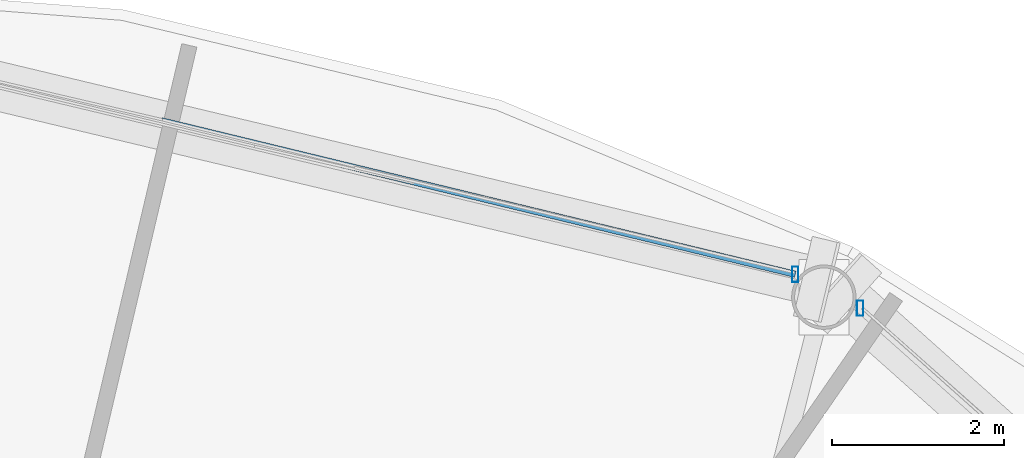
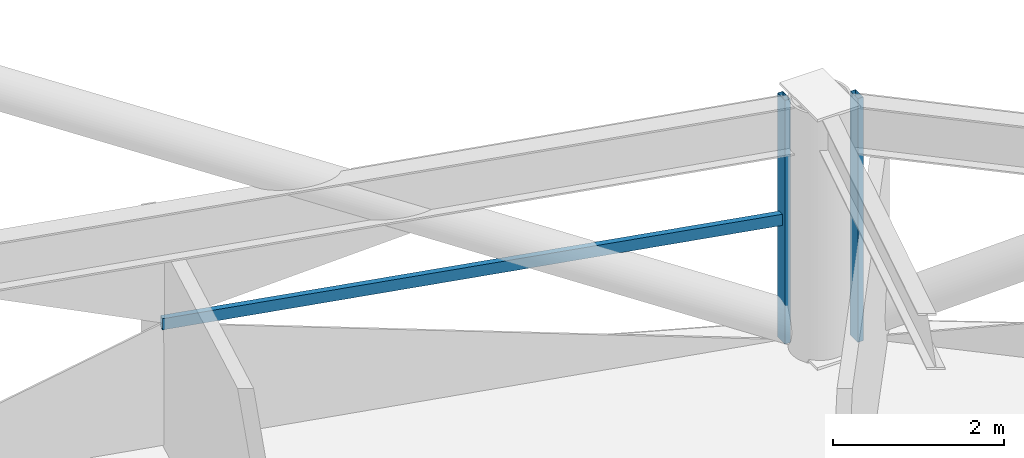
# One storey, part 20 of 30: 3 members, 2 elements without a shape of their own.
"""IFC4 building model written with IfcOpenShell, lengths in metres."""

import ifcopenshell
import ifcopenshell.guid

model = None  # the IFC model being written
_history = None  # IfcOwnerHistory: only IFC2X3 demands one
_inside = {}  # id of a spatial element -> (the spatial element, [elements in it])
_under = {}  # id of a project, library or spatial element -> (it, [spatial elements below it])
_declared = {}  # id of a project -> (the project, [libraries it declares])
_typed = {}  # id of a type object -> (the type object, [elements of that type])
_made_of = {}  # id of a material, layer set ... -> (it, [elements and type objects made of it])


def new_model(schema):
    """Start an empty IFC model of exactly this schema.

    Asked for "IFC4X3", IfcOpenShell would pick the latest addendum, in which some entities
    have other attributes; the version numbers below select the first issue.
    IFC2X3 requires an IfcOwnerHistory on every rooted entity: one is made here for all.
    """
    global model, _history
    if schema == "IFC4X3":
        model = ifcopenshell.file(schema_version=(4, 3, 0, 0))
    else:
        model = ifcopenshell.file(schema=schema)
    _inside.clear()
    _under.clear()
    _declared.clear()
    _typed.clear()
    _made_of.clear()
    _history = None
    if model.schema == "IFC2X3":
        org = make("IfcOrganization", Name="unknown")
        user = make(
            "IfcPersonAndOrganization",
            ThePerson=make("IfcPerson", FamilyName="unknown"),
            TheOrganization=org,
        )
        app = make(
            "IfcApplication",
            ApplicationDeveloper=org,
            Version="unknown",
            ApplicationFullName="unknown",
            ApplicationIdentifier="unknown",
        )
        _history = make(
            "IfcOwnerHistory",
            OwningUser=user,
            OwningApplication=app,
            ChangeAction="ADDED",
            CreationDate=0,
        )
    return model


def make(cls, **values):
    """One entity of the class cls with the attributes given. An attribute that is None is left unset."""
    return model.create_entity(
        cls, **{name: value for name, value in values.items() if value is not None}
    )


def rooted(cls, **values):
    """An entity with a GlobalId (a new one), such as an element, a storey or a relation."""
    return make(cls, GlobalId=ifcopenshell.guid.new(), OwnerHistory=_history, **values)


def si_unit(unit_type, name, prefix=None):
    """IfcSIUnit, for example si_unit("LENGTHUNIT", "METRE", prefix="MILLI")."""
    return make("IfcSIUnit", UnitType=unit_type, Prefix=prefix, Name=name)


def assignment(units):
    """IfcUnitAssignment: the units of a project."""
    return None if units is None else make("IfcUnitAssignment", Units=units)


def point(xyz):
    """IfcCartesianPoint."""
    return None if xyz is None else make("IfcCartesianPoint", Coordinates=xyz)


def direction(xyz):
    """IfcDirection."""
    return None if xyz is None else make("IfcDirection", DirectionRatios=xyz)


def frame(location, z_axis=None, x_axis=None):
    """IfcAxis2Placement3D, a coordinate frame: its origin and axes. An axis left out is left unset."""
    return make(
        "IfcAxis2Placement3D",
        Location=point(location),
        Axis=direction(z_axis),
        RefDirection=direction(x_axis),
    )


def frame_2d(location, x_axis=None):
    """IfcAxis2Placement2D, a coordinate frame in the plane: its origin and x axis."""
    return make(
        "IfcAxis2Placement2D", Location=point(location), RefDirection=direction(x_axis)
    )


def origin():
    """The frame at (0, 0, 0) with its axes left unset."""
    return frame((0.0, 0.0, 0.0))


def origin_2d():
    """The frame at (0, 0) in the plane with its x axis left unset."""
    return frame_2d((0.0, 0.0))


def place(relative_to, where):
    """IfcLocalPlacement: puts the frame where relative to a parent placement (None: the world)."""
    return make(
        "IfcLocalPlacement", PlacementRelTo=relative_to, RelativePlacement=where
    )


def context(
    kind, dimensions, precision=None, world=None, true_north=None, identifier=None
):
    """IfcGeometricRepresentationContext, for example the 3D "Model" context."""
    return make(
        "IfcGeometricRepresentationContext",
        ContextIdentifier=identifier,
        ContextType=kind,
        CoordinateSpaceDimension=dimensions,
        Precision=precision,
        WorldCoordinateSystem=world,
        TrueNorth=true_north,
    )


def subcontext(parent, identifier, kind, view, scale=None):
    """IfcGeometricRepresentationSubContext, for example "Body" below "Model"."""
    return make(
        "IfcGeometricRepresentationSubContext",
        ContextIdentifier=identifier,
        ContextType=kind,
        ParentContext=parent,
        TargetScale=scale,
        TargetView=view,
    )


def project(units=None, contexts=None):
    """IfcProject with its units and contexts."""
    return rooted(
        "IfcProject",
        Name="project",
        RepresentationContexts=contexts,
        UnitsInContext=assignment(units),
    )


def spatial(cls, under=None, at=None, **own):
    """A site, building, storey or space (cls), placed at a placement, below another one or the project."""
    s = rooted(cls, ObjectPlacement=at, **own)
    if under is not None:
        _under.setdefault(under.id(), (under, []))[1].append(s)
    return s


def profile(cls, at=None, kind="AREA", **sizes):
    """A parametric profile (cls). Its sizes go by their IFC names, for example OverallWidth=200.0."""
    return make(cls, ProfileType=kind, Position=at, **sizes)


def hollow_rectangle(**sizes):
    """IfcRectangleHollowProfileDef."""
    return profile("IfcRectangleHollowProfileDef", **sizes)


def extrude(swept, where, along, depth):
    """IfcExtrudedAreaSolid: the profile swept, set in the frame where, extruded along a direction by depth."""
    return make(
        "IfcExtrudedAreaSolid",
        SweptArea=swept,
        Position=where,
        ExtrudedDirection=direction(along),
        Depth=depth,
    )


def shape(context_of_items, identifier, shape_type, items):
    """IfcShapeRepresentation: the items that make up one representation, for example the "Body"."""
    return make(
        "IfcShapeRepresentation",
        ContextOfItems=context_of_items,
        RepresentationIdentifier=identifier,
        RepresentationType=shape_type,
        Items=items,
    )


def material(Name=None, Category=None):
    """IfcMaterial."""
    return make("IfcMaterial", Name=Name, Category=Category)


def layer(
    of_material, thickness, ventilated=None, Name=None, Category=None, Priority=None
):
    """IfcMaterialLayer: one layer of a wall or slab, of a material (None: an air gap)."""
    return make(
        "IfcMaterialLayer",
        Material=of_material,
        LayerThickness=thickness,
        IsVentilated=ventilated,
        Name=Name,
        Category=Category,
        Priority=Priority,
    )


def layer_set(layers, Name=None):
    """IfcMaterialLayerSet."""
    return make("IfcMaterialLayerSet", MaterialLayers=layers, LayerSetName=Name)


def material_profile(
    of_material, cross_section, Name=None, Category=None, Priority=None
):
    """IfcMaterialProfile: a cross section and its material."""
    return make(
        "IfcMaterialProfile",
        Name=Name,
        Material=of_material,
        Profile=cross_section,
        Priority=Priority,
        Category=Category,
    )


def profile_set(profiles, Name=None, composite=None):
    """IfcMaterialProfileSet."""
    return make(
        "IfcMaterialProfileSet",
        Name=Name,
        MaterialProfiles=profiles,
        CompositeProfile=composite,
    )


def made_of(thing, what):
    """Note that an element or type object is made of a material, layer set ...; save() writes the relation."""
    if what is not None:
        _made_of.setdefault(what.id(), (what, []))[1].append(thing)
    return thing


def type_object(cls, material=None, **own):
    """A type object (cls), such as IfcWallType, which elements share."""
    return made_of(rooted(cls, **own), material)


def element(
    cls,
    number,
    at=None,
    inside=None,
    cuts=None,
    type_object=None,
    material=None,
    context=None,
    identifier="Body",
    shape_type=None,
    held_by="IfcProductDefinitionShape",
    body=None,
    shapes=None,
    **own,
):
    """One element of the class cls, such as IfcWall. Its Tag is "e" and its number.

    at: its placement. inside: the storey or other place that contains it. cuts: it is an
    opening in that element (IfcRelVoidsElement). A single representation is given by context,
    identifier, shape_type and body (its items); several are given by shapes. held_by: the class
    of the entity that holds the representations. save() writes the other relations.
    """
    e = rooted(cls, Tag="e%d" % number, ObjectPlacement=at, **own)
    if body is not None:
        shapes = [shape(context, identifier, shape_type, body)]
    if shapes is not None:
        e.Representation = make(held_by, Representations=shapes)
    if inside is not None:
        _inside.setdefault(inside.id(), (inside, []))[1].append(e)
    if cuts is not None:
        rooted(
            "IfcRelVoidsElement", RelatingBuildingElement=cuts, RelatedOpeningElement=e
        )
    if type_object is not None:
        _typed.setdefault(type_object.id(), (type_object, []))[1].append(e)
    return made_of(e, material)


def aggregate(whole, parts):
    """IfcRelAggregates: a whole, such as a stair, and the parts it consists of."""
    return rooted("IfcRelAggregates", RelatingObject=whole, RelatedObjects=parts)


def save(model, path):
    """Write the relations noted so far, then the file.

    IfcRelAggregates (storeys below a building ...), IfcRelContainedInSpatialStructure (elements
    in a storey), IfcRelDefinesByType, IfcRelAssociatesMaterial and IfcRelDeclares: one each for
    every whole, place, type object, material and project.
    """
    for whole, parts in _under.values():
        aggregate(whole, parts)
    for where, things in _inside.values():
        rooted(
            "IfcRelContainedInSpatialStructure",
            RelatedElements=things,
            RelatingStructure=where,
        )
    for kind, things in _typed.values():
        rooted("IfcRelDefinesByType", RelatedObjects=things, RelatingType=kind)
    for what, things in _made_of.values():
        rooted("IfcRelAssociatesMaterial", RelatedObjects=things, RelatingMaterial=what)
    for by, libraries in _declared.values():
        rooted("IfcRelDeclares", RelatingContext=by, RelatedDefinitions=libraries)
    model.write(path)


model = new_model("IFC4")

# Units and contexts
model_context = context("Model", 3, precision=1e-05, world=origin(), true_north=direction((0.0, 1.0)))
body_context = subcontext(model_context, "Body", "Model", "MODEL_VIEW")
ifc_project = project(units=[si_unit("LENGTHUNIT", "METRE"), si_unit("AREAUNIT", "SQUARE_METRE"), si_unit("VOLUMEUNIT", "CUBIC_METRE"), si_unit("PLANEANGLEUNIT", "RADIAN"), si_unit("MASSUNIT", "GRAM", prefix="KILO")], contexts=[model_context])

# Site, building, storey
site_placement = place(None, origin())
site = spatial("IfcSite", under=ifc_project, at=site_placement, CompositionType="ELEMENT")
building_placement = place(site_placement, origin())
building = spatial("IfcBuilding", under=site, at=building_placement, Name="Vantalir Tower", CompositionType="ELEMENT")
storey_placement = place(building_placement, frame((0.0, 0.0, 119.699951171875)))
storey = spatial("IfcBuildingStorey", under=building, at=storey_placement, Name="L29", CompositionType="ELEMENT", Elevation=119.699951171875)

# Curtain wall, member
ifc_material_1 = material(Name="Champagne-silver PVDF aluminium and double-silver Low-E glass", Category="aluminium")
ifc_layer = layer(ifc_material_1, 0.199951171875)
ifc_layer_set = layer_set([ifc_layer], Name="Champagne-silver PVDF aluminium and double-silver Low-E glass")
curtain_wall_type = type_object("IfcCurtainWallType", Name="CW-DIAMOND-Z2", PredefinedType="USERDEFINED", material=ifc_layer_set)
curtain_wall_1_placement = place(storey_placement, origin())
curtain_wall_1 = element("IfcCurtainWall", 1, at=curtain_wall_1_placement, inside=storey, type_object=curtain_wall_type, Name="L29 Quilted Pyramid-Diamond Curtain Wall S02", ObjectType="UNITISED CURTAIN WALL", PredefinedType="USERDEFINED")
ifc_material_2 = material(Name="Champagne-silver PVDF aluminium 6063-T6", Category="aluminium")
ifc_material_profile_1 = material_profile(ifc_material_2, hollow_rectangle(XDim=0.074951171875, YDim=0.179931640625, WallThickness=0.00390625, at=origin_2d()), Name="Champagne-silver PVDF aluminium 6063-T6")
ifc_profile_set_1 = profile_set([ifc_material_profile_1], Name="Champagne-silver PVDF aluminium 6063-T6")
member_type_1 = type_object("IfcMemberType", Name="CWM-180x75", PredefinedType="MULLION", material=ifc_profile_set_1)
member_1_placement = place(storey_placement, frame((44.593017578125, 44.4140625, 0.045166015625), z_axis=(0.0, 0.0, 1.0), x_axis=(1.0, 0.0, 0.0)))
member_1 = element("IfcMember", 2, at=member_1_placement, type_object=member_type_1, Name="CW-L29-S02 Mullion 2", PredefinedType="MULLION", context=body_context, shape_type="SweptSolid", body=[
    extrude(hollow_rectangle(XDim=0.074951171875, YDim=0.179931640625, WallThickness=0.00390625, at=origin_2d()), origin(), (0.0, 0.0, 1.0), 3.47998046875),
])
aggregate(curtain_wall_1, [member_1])

# Curtain wall, members
curtain_wall_2_placement = place(storey_placement, origin())
curtain_wall_2 = element("IfcCurtainWall", 3, at=curtain_wall_2_placement, inside=storey, type_object=curtain_wall_type, Name="L29 Quilted Pyramid-Diamond Curtain Wall S03", ObjectType="UNITISED CURTAIN WALL", PredefinedType="USERDEFINED")
member_2_placement = place(storey_placement, frame((43.8369140625, 44.80908203125, 0.045166015625), z_axis=(0.0, 0.0, 1.0), x_axis=(1.0, 0.0, 0.0)))
member_2 = element("IfcMember", 4, at=member_2_placement, type_object=member_type_1, Name="CW-L29-S03 Mullion 1", PredefinedType="MULLION", context=body_context, shape_type="SweptSolid", body=[
    extrude(hollow_rectangle(XDim=0.074951171875, YDim=0.179931640625, WallThickness=0.00390625, at=origin_2d()), origin(), (0.0, 0.0, 1.0), 3.47998046875),
])
ifc_material_profile_2 = material_profile(ifc_material_2, hollow_rectangle(XDim=0.074951171875, YDim=0.159912109375, WallThickness=0.00390625, at=origin_2d()), Name="Champagne-silver PVDF aluminium 6063-T6")
ifc_profile_set_2 = profile_set([ifc_material_profile_2], Name="Champagne-silver PVDF aluminium 6063-T6")
member_type_2 = type_object("IfcMemberType", Name="CWT-160x75", PredefinedType="USERDEFINED", material=ifc_profile_set_2)
member_3_placement = place(storey_placement, frame((43.8369140625, 44.80908203125, 1.78515625), z_axis=(-0.971902074996, 0.235385548872, 0.0), x_axis=(-0.235385548872, -0.971902074996, 0.0)))
member_3 = element("IfcMember", 5, at=member_3_placement, type_object=member_type_2, Name="CW-L29-S03 Pyramid Fold Ridge Transom", ObjectType="TRANSOM", PredefinedType="USERDEFINED", context=body_context, shape_type="SweptSolid", body=[
    extrude(hollow_rectangle(XDim=0.074951171875, YDim=0.159912109375, WallThickness=0.00390625, at=origin_2d()), origin(), (0.0, 0.0, 1.0), 7.59130859375),
])
aggregate(curtain_wall_2, [member_2, member_3])

save(model, "model.ifc")
